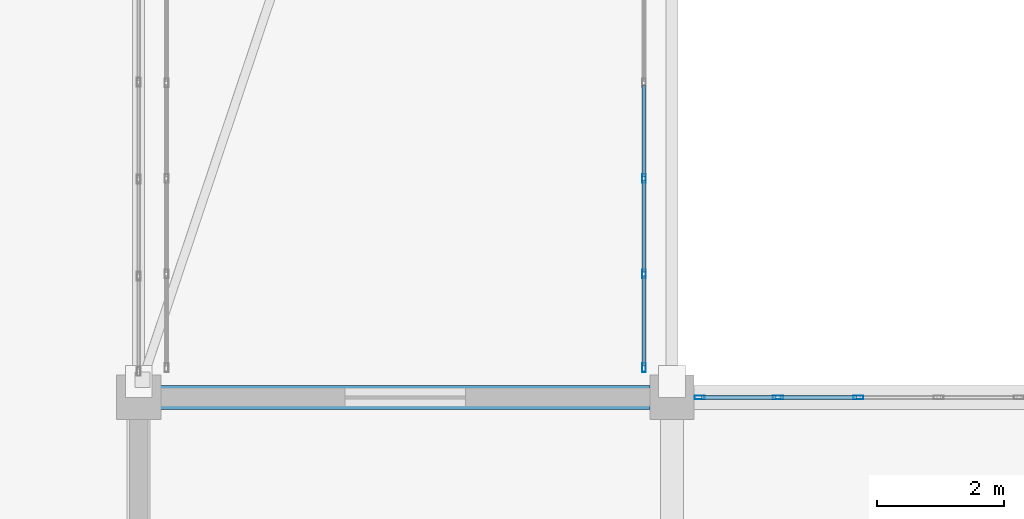
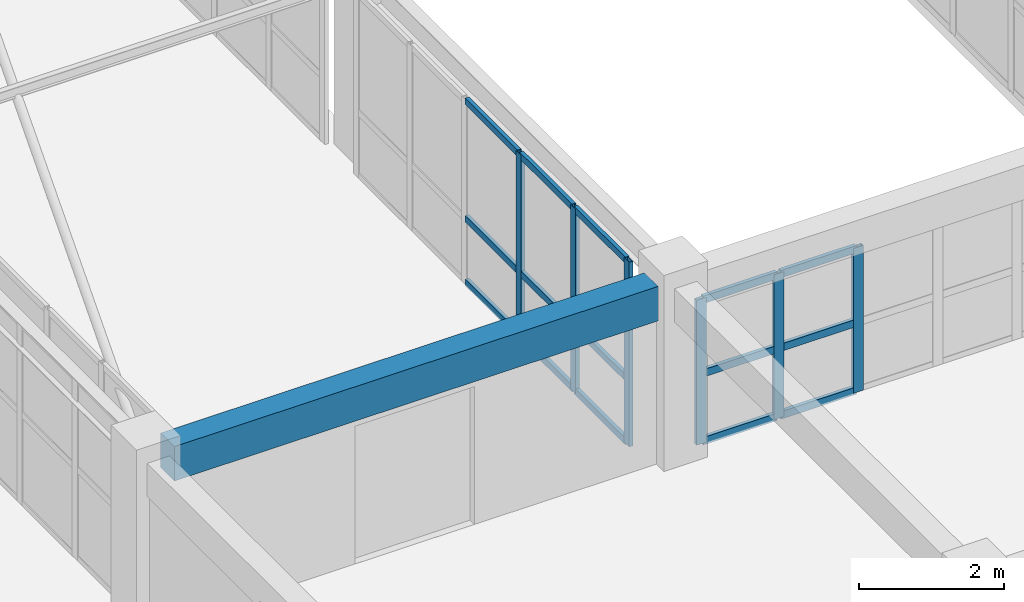
# One storey, part 62 of 148: 21 members, 1 beam, 2 elements without a shape of their own.
"""IFC4 building model written with IfcOpenShell, lengths in metres."""

from ifc_helpers import new_model, si_unit, direction, frame, origin, origin_2d, place, context, subcontext, project, spatial, rectangle, hollow_rectangle, extrude, material, layer, layer_set, material_profile, profile_set, type_object, element, aggregate, save


model = new_model("IFC4")

# Units and contexts
model_context = context("Model", 3, precision=1e-05, world=origin(), true_north=direction((0.0, 1.0)))
body_context = subcontext(model_context, "Body", "Model", "MODEL_VIEW")
ifc_project = project(units=[si_unit("LENGTHUNIT", "METRE"), si_unit("AREAUNIT", "SQUARE_METRE"), si_unit("VOLUMEUNIT", "CUBIC_METRE"), si_unit("PLANEANGLEUNIT", "RADIAN"), si_unit("MASSUNIT", "GRAM", prefix="KILO")], contexts=[model_context])

# Site, building, storey
site_placement = place(None, origin())
site = spatial("IfcSite", under=ifc_project, at=site_placement, CompositionType="ELEMENT")
building_placement = place(site_placement, origin())
building = spatial("IfcBuilding", under=site, at=building_placement, Name="Trelvath General Hospital", CompositionType="ELEMENT")
storey_placement = place(building_placement, frame((0.0, 0.0, 12.89990234375)))
storey = spatial("IfcBuildingStorey", under=building, at=storey_placement, Name="L03", CompositionType="ELEMENT", Elevation=12.89990234375)

# Beam
ifc_material_1 = material(Name="Concrete C35/45", Category="concrete")
ifc_material_profile_1 = material_profile(ifc_material_1, rectangle(XDim=0.3798828125, YDim=0.580078125, at=origin_2d()), Name="RCB380x580")
ifc_profile_set_1 = profile_set([ifc_material_profile_1], Name="Concrete C35/45")
beam_type = type_object("IfcBeamType", Name="Beam RC380x580", PredefinedType="BEAM", material=ifc_profile_set_1)
beam_placement = place(storey_placement, frame((75.945068359375, 67.199951171875, 2.72998046875), z_axis=(1.0, 0.0, 0.0), x_axis=(0.0, 1.0, 0.0)))
element("IfcBeam", 1, at=beam_placement, inside=storey, type_object=beam_type, Name="Grid Beam BX-309I", PredefinedType="BEAM", context=body_context, shape_type="SweptSolid", body=[
    extrude(rectangle(XDim=0.3798828125, YDim=0.580078125, at=origin_2d()), origin(), (0.0, 0.0, 1.0), 7.7099609375),
])

# Curtain wall, members
ifc_material_2 = material(Name="Anodised aluminium and low-E glass", Category="aluminium")
ifc_layer_1 = layer(ifc_material_2, 0.139892578125)
ifc_layer_set_1 = layer_set([ifc_layer_1], Name="Anodised aluminium and low-E glass")
curtain_wall_type_1 = type_object("IfcCurtainWallType", Name="CW Bridge 752 311", PredefinedType="USERDEFINED", material=ifc_layer_set_1)
curtain_wall_1_placement = place(storey_placement, origin())
curtain_wall_1 = element("IfcCurtainWall", 2, at=curtain_wall_1_placement, inside=storey, type_object=curtain_wall_type_1, Name="Glazed Bridge Curtain Wall BRG-N-C E L03", ObjectType="Unitised Glazed Curtain Wall", PredefinedType="USERDEFINED")
ifc_material_3 = material(Name="Anodised aluminium", Category="aluminium")
ifc_material_profile_2 = material_profile(ifc_material_3, hollow_rectangle(XDim=0.06005859375, YDim=0.139892578125, WallThickness=0.00390625, at=origin_2d()), Name="RHS60x140x4")
ifc_profile_set_2 = profile_set([ifc_material_profile_2], Name="Anodised aluminium")
member_type_1 = type_object("IfcMemberType", Name="CurtainMullion 60x140", PredefinedType="MULLION", material=ifc_profile_set_2)
member_1_placement = place(storey_placement, frame((83.56005859375, 70.64794921875, 0.0), z_axis=(0.0, 0.0, 1.0), x_axis=(1.0, 0.0, 0.0)))
member_1 = element("IfcMember", 3, at=member_1_placement, type_object=member_type_1, Name="CW-259 mullion 4", PredefinedType="MULLION", context=body_context, shape_type="SweptSolid", body=[
    extrude(hollow_rectangle(XDim=0.06005859375, YDim=0.139892578125, WallThickness=0.00390625, at=origin_2d()), origin(), (0.0, 0.0, 1.0), 3.110107421875),
])
member_2_placement = place(storey_placement, frame((83.56005859375, 69.14404296875, 0.0), z_axis=(0.0, 0.0, 1.0), x_axis=(1.0, 0.0, 0.0)))
member_2 = element("IfcMember", 4, at=member_2_placement, type_object=member_type_1, Name="CW-259 mullion 5", PredefinedType="MULLION", context=body_context, shape_type="SweptSolid", body=[
    extrude(hollow_rectangle(XDim=0.06005859375, YDim=0.139892578125, WallThickness=0.00390625, at=origin_2d()), origin(), (0.0, 0.0, 1.0), 3.110107421875),
])
member_3_placement = place(storey_placement, frame((83.56005859375, 67.669921875, 0.0), z_axis=(0.0, 0.0, 1.0), x_axis=(1.0, 0.0, 0.0)))
member_3 = element("IfcMember", 5, at=member_3_placement, type_object=member_type_1, Name="CW-259 mullion 6", PredefinedType="MULLION", context=body_context, shape_type="SweptSolid", body=[
    extrude(hollow_rectangle(XDim=0.06005859375, YDim=0.139892578125, WallThickness=0.00390625, at=origin_2d()), origin(), (0.0, 0.0, 1.0), 3.110107421875),
])

ifc_material_4 = material(Name="Anodised aluminium and low-E glass", Category="aluminium")
ifc_layer_2 = layer(ifc_material_4, 0.159912109375)
ifc_layer_set_2 = layer_set([ifc_layer_2], Name="Anodised aluminium and low-E glass")
curtain_wall_type_2 = type_object("IfcCurtainWallType", Name="CW Facade 759 244 16", PredefinedType="USERDEFINED", material=ifc_layer_set_2)
curtain_wall_2_placement = place(storey_placement, origin())
curtain_wall_2 = element("IfcCurtainWall", 6, at=curtain_wall_2_placement, inside=storey, type_object=curtain_wall_type_2, Name="Facade Curtain Wall CW-059", ObjectType="Unitised Glazed Curtain Wall", PredefinedType="USERDEFINED")
ifc_material_5 = material(Name="Anodised aluminium", Category="aluminium")
ifc_material_profile_3 = material_profile(ifc_material_5, hollow_rectangle(XDim=0.06005859375, YDim=0.159912109375, WallThickness=0.00390625, at=origin_2d()), Name="RHS60x160x4")
ifc_profile_set_3 = profile_set([ifc_material_profile_3], Name="Anodised aluminium")
member_type_2 = type_object("IfcMemberType", Name="CurtainMullion 60x160", PredefinedType="MULLION", material=ifc_profile_set_3)
member_4_placement = place(storey_placement, frame((84.43505859375, 67.199951171875, 0.0), z_axis=(0.0, 0.0, 1.0), x_axis=(0.0, 1.0, 0.0)))
member_4 = element("IfcMember", 7, at=member_4_placement, type_object=member_type_2, Name="CW-059 mullion 1", PredefinedType="MULLION", context=body_context, shape_type="SweptSolid", body=[
    extrude(hollow_rectangle(XDim=0.06005859375, YDim=0.159912109375, WallThickness=0.00390625, at=origin_2d()), origin(), (0.0, 0.0, 1.0), 2.440185546875),
])
member_5_placement = place(storey_placement, frame((85.669921875, 67.199951171875, 0.0), z_axis=(0.0, 0.0, 1.0), x_axis=(0.0, 1.0, 0.0)))
member_5 = element("IfcMember", 8, at=member_5_placement, type_object=member_type_2, Name="CW-059 mullion 2", PredefinedType="MULLION", context=body_context, shape_type="SweptSolid", body=[
    extrude(hollow_rectangle(XDim=0.06005859375, YDim=0.159912109375, WallThickness=0.00390625, at=origin_2d()), origin(), (0.0, 0.0, 1.0), 2.440185546875),
])
member_6_placement = place(storey_placement, frame((86.93505859375, 67.199951171875, 0.0), z_axis=(0.0, 0.0, 1.0), x_axis=(0.0, 1.0, 0.0)))
member_6 = element("IfcMember", 9, at=member_6_placement, type_object=member_type_2, Name="CW-059 mullion 3", PredefinedType="MULLION", context=body_context, shape_type="SweptSolid", body=[
    extrude(hollow_rectangle(XDim=0.06005859375, YDim=0.159912109375, WallThickness=0.00390625, at=origin_2d()), origin(), (0.0, 0.0, 1.0), 2.440185546875),
])

# Member
ifc_material_6 = material(Name="Anodised aluminium", Category="aluminium")
ifc_material_profile_4 = material_profile(ifc_material_6, hollow_rectangle(XDim=0.06005859375, YDim=0.110107421875, WallThickness=0.00390625, at=origin_2d()), Name="RHS60x110x4")
ifc_profile_set_4 = profile_set([ifc_material_profile_4], Name="Anodised aluminium")
member_type_3 = type_object("IfcMemberType", Name="CurtainTransom 60x110", PredefinedType="USERDEFINED", material=ifc_profile_set_4)
member_7_placement = place(storey_placement, frame((83.56005859375, 72.1220703125, 0.030029296875), z_axis=(0.0, -1.0, 0.0), x_axis=(1.0, 0.0, 0.0)))
member_7 = element("IfcMember", 10, at=member_7_placement, type_object=member_type_3, Name="CW-259 transom 3.1", ObjectType="TRANSOM", PredefinedType="USERDEFINED", context=body_context, shape_type="SweptSolid", body=[
    extrude(hollow_rectangle(XDim=0.06005859375, YDim=0.110107421875, WallThickness=0.00390625, at=origin_2d()), origin(), (0.0, 0.0, 1.0), 1.444091796875),
])

member_8_placement = place(storey_placement, frame((83.56005859375, 72.1220703125, 1.10009765625), z_axis=(0.0, -1.0, 0.0), x_axis=(1.0, 0.0, 0.0)))
member_8 = element("IfcMember", 11, at=member_8_placement, type_object=member_type_3, Name="CW-259 transom 3.2", ObjectType="TRANSOM", PredefinedType="USERDEFINED", context=body_context, shape_type="SweptSolid", body=[
    extrude(hollow_rectangle(XDim=0.06005859375, YDim=0.110107421875, WallThickness=0.00390625, at=origin_2d()), origin(), (0.0, 0.0, 1.0), 1.444091796875),
])

member_9_placement = place(storey_placement, frame((83.56005859375, 72.1220703125, 3.080078125), z_axis=(0.0, -1.0, 0.0), x_axis=(1.0, 0.0, 0.0)))
member_9 = element("IfcMember", 12, at=member_9_placement, type_object=member_type_3, Name="CW-259 transom 3.3", ObjectType="TRANSOM", PredefinedType="USERDEFINED", context=body_context, shape_type="SweptSolid", body=[
    extrude(hollow_rectangle(XDim=0.06005859375, YDim=0.110107421875, WallThickness=0.00390625, at=origin_2d()), origin(), (0.0, 0.0, 1.0), 1.444091796875),
])

member_10_placement = place(storey_placement, frame((83.56005859375, 70.617919921875, 0.030029296875), z_axis=(0.0, -1.0, 0.0), x_axis=(1.0, 0.0, 0.0)))
member_10 = element("IfcMember", 13, at=member_10_placement, type_object=member_type_3, Name="CW-259 transom 4.1", ObjectType="TRANSOM", PredefinedType="USERDEFINED", context=body_context, shape_type="SweptSolid", body=[
    extrude(hollow_rectangle(XDim=0.06005859375, YDim=0.110107421875, WallThickness=0.00390625, at=origin_2d()), origin(), (0.0, 0.0, 1.0), 1.44384765625),
])

member_11_placement = place(storey_placement, frame((83.56005859375, 70.617919921875, 1.10009765625), z_axis=(0.0, -1.0, 0.0), x_axis=(1.0, 0.0, 0.0)))
member_11 = element("IfcMember", 14, at=member_11_placement, type_object=member_type_3, Name="CW-259 transom 4.2", ObjectType="TRANSOM", PredefinedType="USERDEFINED", context=body_context, shape_type="SweptSolid", body=[
    extrude(hollow_rectangle(XDim=0.06005859375, YDim=0.110107421875, WallThickness=0.00390625, at=origin_2d()), origin(), (0.0, 0.0, 1.0), 1.44384765625),
])

member_12_placement = place(storey_placement, frame((83.56005859375, 70.617919921875, 3.080078125), z_axis=(0.0, -1.0, 0.0), x_axis=(1.0, 0.0, 0.0)))
member_12 = element("IfcMember", 15, at=member_12_placement, type_object=member_type_3, Name="CW-259 transom 4.3", ObjectType="TRANSOM", PredefinedType="USERDEFINED", context=body_context, shape_type="SweptSolid", body=[
    extrude(hollow_rectangle(XDim=0.06005859375, YDim=0.110107421875, WallThickness=0.00390625, at=origin_2d()), origin(), (0.0, 0.0, 1.0), 1.44384765625),
])

member_13_placement = place(storey_placement, frame((83.56005859375, 69.114013671875, 0.030029296875), z_axis=(0.0, -1.0, 0.0), x_axis=(1.0, 0.0, 0.0)))
member_13 = element("IfcMember", 16, at=member_13_placement, type_object=member_type_3, Name="CW-259 transom 5.1", ObjectType="TRANSOM", PredefinedType="USERDEFINED", context=body_context, shape_type="SweptSolid", body=[
    extrude(hollow_rectangle(XDim=0.06005859375, YDim=0.110107421875, WallThickness=0.00390625, at=origin_2d()), origin(), (0.0, 0.0, 1.0), 1.4140625),
])

member_14_placement = place(storey_placement, frame((83.56005859375, 69.114013671875, 1.10009765625), z_axis=(0.0, -1.0, 0.0), x_axis=(1.0, 0.0, 0.0)))
member_14 = element("IfcMember", 17, at=member_14_placement, type_object=member_type_3, Name="CW-259 transom 5.2", ObjectType="TRANSOM", PredefinedType="USERDEFINED", context=body_context, shape_type="SweptSolid", body=[
    extrude(hollow_rectangle(XDim=0.06005859375, YDim=0.110107421875, WallThickness=0.00390625, at=origin_2d()), origin(), (0.0, 0.0, 1.0), 1.4140625),
])

member_15_placement = place(storey_placement, frame((83.56005859375, 69.114013671875, 3.080078125), z_axis=(0.0, -1.0, 0.0), x_axis=(1.0, 0.0, 0.0)))
member_15 = element("IfcMember", 18, at=member_15_placement, type_object=member_type_3, Name="CW-259 transom 5.3", ObjectType="TRANSOM", PredefinedType="USERDEFINED", context=body_context, shape_type="SweptSolid", body=[
    extrude(hollow_rectangle(XDim=0.06005859375, YDim=0.110107421875, WallThickness=0.00390625, at=origin_2d()), origin(), (0.0, 0.0, 1.0), 1.4140625),
])

aggregate(curtain_wall_1, [member_1, member_2, member_3, member_7, member_8, member_9, member_10, member_11, member_12, member_13, member_14, member_15])

ifc_material_7 = material(Name="Anodised aluminium", Category="aluminium")
ifc_material_profile_5 = material_profile(ifc_material_7, hollow_rectangle(XDim=0.06005859375, YDim=0.125, WallThickness=0.00390625, at=origin_2d()), Name="RHS60x125x4")
ifc_profile_set_5 = profile_set([ifc_material_profile_5], Name="Anodised aluminium")
member_type_4 = type_object("IfcMemberType", Name="CurtainTransom 60x125", PredefinedType="USERDEFINED", material=ifc_profile_set_5)
member_16_placement = place(storey_placement, frame((84.465087890625, 67.199951171875, 0.030029296875), z_axis=(1.0, 0.0, 0.0), x_axis=(0.0, 1.0, 0.0)))
member_16 = element("IfcMember", 19, at=member_16_placement, type_object=member_type_4, Name="CW-059 transom 1.1", ObjectType="TRANSOM", PredefinedType="USERDEFINED", context=body_context, shape_type="SweptSolid", body=[
    extrude(hollow_rectangle(XDim=0.06005859375, YDim=0.125, WallThickness=0.00390625, at=origin_2d()), origin(), (0.0, 0.0, 1.0), 1.1748046875),
])

member_17_placement = place(storey_placement, frame((84.465087890625, 67.199951171875, 1.171142578125), z_axis=(1.0, 0.0, 0.0), x_axis=(0.0, 1.0, 0.0)))
member_17 = element("IfcMember", 20, at=member_17_placement, type_object=member_type_4, Name="CW-059 transom 1.2", ObjectType="TRANSOM", PredefinedType="USERDEFINED", context=body_context, shape_type="SweptSolid", body=[
    extrude(hollow_rectangle(XDim=0.06005859375, YDim=0.125, WallThickness=0.00390625, at=origin_2d()), origin(), (0.0, 0.0, 1.0), 1.1748046875),
])

member_18_placement = place(storey_placement, frame((84.465087890625, 67.199951171875, 2.41015625), z_axis=(1.0, 0.0, 0.0), x_axis=(0.0, 1.0, 0.0)))
member_18 = element("IfcMember", 21, at=member_18_placement, type_object=member_type_4, Name="CW-059 transom 1.3", ObjectType="TRANSOM", PredefinedType="USERDEFINED", context=body_context, shape_type="SweptSolid", body=[
    extrude(hollow_rectangle(XDim=0.06005859375, YDim=0.125, WallThickness=0.00390625, at=origin_2d()), origin(), (0.0, 0.0, 1.0), 1.1748046875),
])

member_19_placement = place(storey_placement, frame((85.699951171875, 67.199951171875, 0.030029296875), z_axis=(1.0, 0.0, 0.0), x_axis=(0.0, 1.0, 0.0)))
member_19 = element("IfcMember", 22, at=member_19_placement, type_object=member_type_4, Name="CW-059 transom 2.1", ObjectType="TRANSOM", PredefinedType="USERDEFINED", context=body_context, shape_type="SweptSolid", body=[
    extrude(hollow_rectangle(XDim=0.06005859375, YDim=0.125, WallThickness=0.00390625, at=origin_2d()), origin(), (0.0, 0.0, 1.0), 1.205078125),
])

member_20_placement = place(storey_placement, frame((85.699951171875, 67.199951171875, 1.171142578125), z_axis=(1.0, 0.0, 0.0), x_axis=(0.0, 1.0, 0.0)))
member_20 = element("IfcMember", 23, at=member_20_placement, type_object=member_type_4, Name="CW-059 transom 2.2", ObjectType="TRANSOM", PredefinedType="USERDEFINED", context=body_context, shape_type="SweptSolid", body=[
    extrude(hollow_rectangle(XDim=0.06005859375, YDim=0.125, WallThickness=0.00390625, at=origin_2d()), origin(), (0.0, 0.0, 1.0), 1.205078125),
])

member_21_placement = place(storey_placement, frame((85.699951171875, 67.199951171875, 2.41015625), z_axis=(1.0, 0.0, 0.0), x_axis=(0.0, 1.0, 0.0)))
member_21 = element("IfcMember", 24, at=member_21_placement, type_object=member_type_4, Name="CW-059 transom 2.3", ObjectType="TRANSOM", PredefinedType="USERDEFINED", context=body_context, shape_type="SweptSolid", body=[
    extrude(hollow_rectangle(XDim=0.06005859375, YDim=0.125, WallThickness=0.00390625, at=origin_2d()), origin(), (0.0, 0.0, 1.0), 1.205078125),
])

aggregate(curtain_wall_2, [member_4, member_5, member_6, member_16, member_17, member_18, member_19, member_20, member_21])

save(model, "model.ifc")
